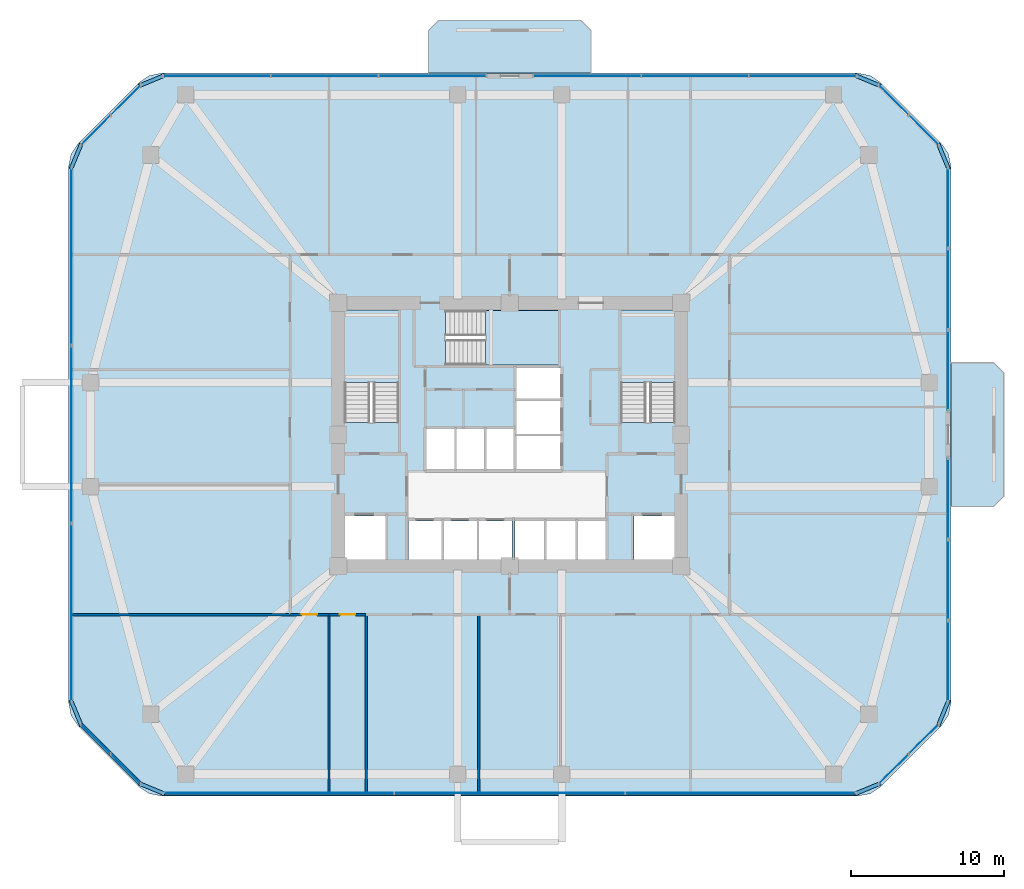
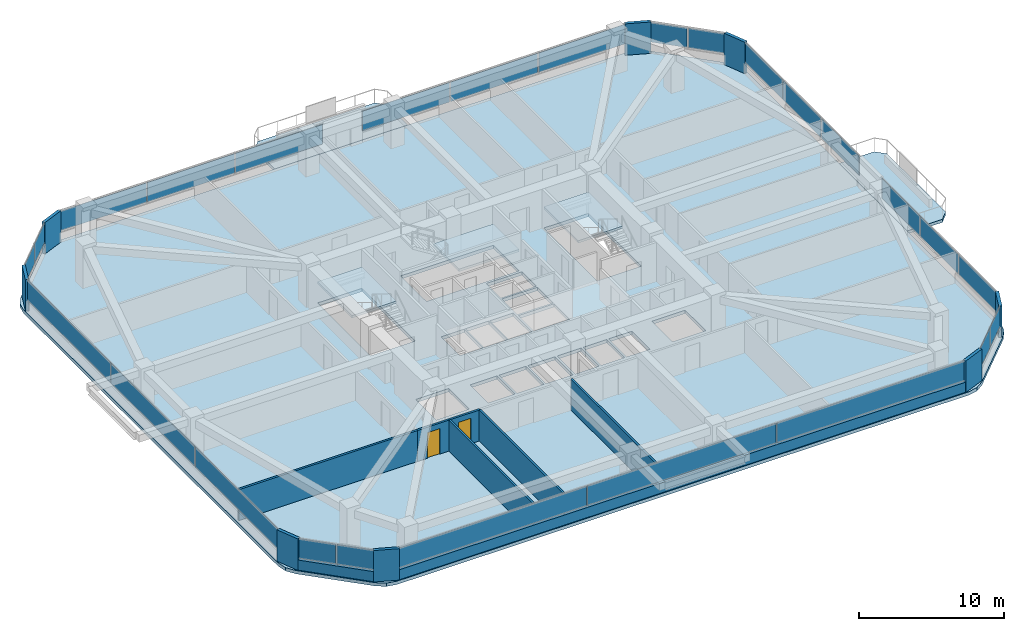
# One storey, part 8 of 14: 34 plates, 8 walls, 6 slabs, 2 doors, 2 openings, 13 elements without a shape of their own.
"""IFC4 building model written with IfcOpenShell, lengths in metres."""

from ifc_helpers import new_model, si_unit, derived_unit, direction, frame, frame_2d, origin, origin_2d, place, context, subcontext, project, spatial, polyline, rectangle, outline, extrude, material, layer, layer_set, type_object, element, fill, aggregate, save


model = new_model("IFC4")

# Units and contexts
model_context = context("Model", 3, precision=1e-05, world=origin(), true_north=direction((0.0, 1.0)))
body_context = subcontext(model_context, "Body", "Model", "MODEL_VIEW")
ifc_project = project(units=[si_unit("LENGTHUNIT", "METRE"), si_unit("AREAUNIT", "SQUARE_METRE"), si_unit("VOLUMEUNIT", "CUBIC_METRE"), si_unit("PLANEANGLEUNIT", "RADIAN"), si_unit("MASSUNIT", "GRAM", prefix="KILO"), derived_unit("THERMALTRANSMITTANCEUNIT", [(si_unit("POWERUNIT", "WATT"), 1), (si_unit("LENGTHUNIT", "METRE"), -2), (si_unit("THERMODYNAMICTEMPERATUREUNIT", "KELVIN"), -1)])], contexts=[model_context])

# Site, building, storey
site_placement = place(None, origin())
site = spatial("IfcSite", under=ifc_project, at=site_placement, CompositionType="ELEMENT")
building_placement = place(site_placement, origin())
building = spatial("IfcBuilding", under=site, at=building_placement, Name="Koralith Skygarden Medical Center", CompositionType="ELEMENT")
storey_placement = place(building_placement, frame((0.0, 0.0, 31.139892578125)))
storey = spatial("IfcBuildingStorey", under=building, at=storey_placement, Name="L07", CompositionType="ELEMENT", Elevation=31.139892578125)

# Curtain wall, plates
ifc_material_1 = material(Name="Clear Laminated Glass", Category="glass")
curtain_wall_type = type_object("IfcCurtainWallType", Name="CW-2 Zone 1 Hurricane Unitised Curtain Wall", PredefinedType="NOTDEFINED", material=ifc_material_1)
curtain_wall_1_placement = place(storey_placement, origin())
curtain_wall_1 = element("IfcCurtainWall", 1, at=curtain_wall_1_placement, inside=storey, type_object=curtain_wall_type, Name="Curtain Wall CW-L07-S", PredefinedType="NOTDEFINED")
ifc_layer_1 = layer(ifc_material_1, 0.031982421875)
ifc_layer_set_1 = layer_set([ifc_layer_1], Name="Clear Laminated Glass")
plate_type_1 = type_object("IfcPlateType", Name="CW-2 Hurricane Laminated IGU Panel 32", PredefinedType="CURTAIN_PANEL", material=ifc_layer_set_1)
plate_1_placement = place(storey_placement, frame((21.903076171875, 2.47998046875, 0.919921875), z_axis=(0.0, 0.0, 1.0), x_axis=(1.0, 0.0, 0.0)))
plate_1 = element("IfcPlate", 2, at=plate_1_placement, type_object=plate_type_1, Name="CW-L07-S Glazed Panel 1", PredefinedType="CURTAIN_PANEL", context=body_context, shape_type="SweptSolid", body=[
    extrude(rectangle(XDim=15.007080078125, YDim=0.031982421875, at=origin_2d()), origin(), (0.0, 0.0, 1.0), 1.659912109375),
])
plate_2_placement = place(storey_placement, frame((37.0, 2.47998046875, 0.919921875), z_axis=(0.0, 0.0, 1.0), x_axis=(1.0, 0.0, 0.0)))
plate_2 = element("IfcPlate", 3, at=plate_2_placement, type_object=plate_type_1, Name="CW-L07-S Glazed Panel 2", PredefinedType="CURTAIN_PANEL", context=body_context, shape_type="SweptSolid", body=[
    extrude(rectangle(XDim=15.007080078125, YDim=0.031982421875, at=origin_2d()), origin(), (0.0, 0.0, 1.0), 1.659912109375),
])
plate_3_placement = place(storey_placement, frame((52.096923828125, 2.47998046875, 0.919921875), z_axis=(0.0, 0.0, 1.0), x_axis=(1.0, 0.0, 0.0)))
plate_3 = element("IfcPlate", 4, at=plate_3_placement, type_object=plate_type_1, Name="CW-L07-S Glazed Panel 3", PredefinedType="CURTAIN_PANEL", context=body_context, shape_type="SweptSolid", body=[
    extrude(rectangle(XDim=15.007080078125, YDim=0.031982421875, at=origin_2d()), origin(), (0.0, 0.0, 1.0), 1.659912109375),
])
aggregate(curtain_wall_1, [plate_1, plate_2, plate_3])

curtain_wall_2_placement = place(storey_placement, origin())
curtain_wall_2 = element("IfcCurtainWall", 5, at=curtain_wall_2_placement, inside=storey, type_object=curtain_wall_type, Name="Curtain Wall CW-L07-SE", PredefinedType="NOTDEFINED")
plate_4_placement = place(storey_placement, frame((62.076904296875, 4.06201171875, 0.919921875), z_axis=(0.0, 0.0, 1.0), x_axis=(0.707106781187, 0.707106781187, 0.0)))
plate_4 = element("IfcPlate", 6, at=plate_4_placement, type_object=plate_type_1, Name="CW-L07-SE Glazed Panel 1", PredefinedType="CURTAIN_PANEL", context=body_context, shape_type="SweptSolid", body=[
    extrude(rectangle(XDim=2.68408203125, YDim=0.031982421875, at=origin_2d()), origin(), (0.0, 0.0, 1.0), 1.659912109375),
])
plate_5_placement = place(storey_placement, frame((64.0380859375, 6.02294921875, 0.919921875), z_axis=(0.0, 0.0, 1.0), x_axis=(0.707106781187, 0.707106781187, 0.0)))
plate_5 = element("IfcPlate", 7, at=plate_5_placement, type_object=plate_type_1, Name="CW-L07-SE Glazed Panel 2", PredefinedType="CURTAIN_PANEL", context=body_context, shape_type="SweptSolid", body=[
    extrude(rectangle(XDim=2.68408203125, YDim=0.031982421875, at=origin_2d()), origin(), (0.0, 0.0, 1.0), 1.659912109375),
])
aggregate(curtain_wall_2, [plate_4, plate_5])

curtain_wall_3_placement = place(storey_placement, origin())
curtain_wall_3 = element("IfcCurtainWall", 8, at=curtain_wall_3_placement, inside=storey, type_object=curtain_wall_type, Name="Curtain Wall CW-L07-E-L", PredefinedType="NOTDEFINED")
plate_6_placement = place(storey_placement, frame((65.6201171875, 11.10595703125, 0.919921875), z_axis=(0.0, 0.0, 1.0), x_axis=(0.0, 1.0, 0.0)))
plate_6 = element("IfcPlate", 9, at=plate_6_placement, type_object=plate_type_1, Name="CW-L07-E-L Glazed Panel 1", PredefinedType="CURTAIN_PANEL", context=body_context, shape_type="SweptSolid", body=[
    extrude(rectangle(XDim=5.2119140625, YDim=0.031982421875, at=origin_2d()), origin(), (0.0, 0.0, 1.0), 1.659912109375),
])
plate_7_placement = place(storey_placement, frame((65.6201171875, 16.406982421875, 0.919921875), z_axis=(0.0, 0.0, 1.0), x_axis=(0.0, 1.0, 0.0)))
plate_7 = element("IfcPlate", 10, at=plate_7_placement, type_object=plate_type_1, Name="CW-L07-E-L Glazed Panel 2", PredefinedType="CURTAIN_PANEL", context=body_context, shape_type="SweptSolid", body=[
    extrude(rectangle(XDim=5.2119140625, YDim=0.031982421875, at=origin_2d()), origin(), (0.0, 0.0, 1.0), 1.659912109375),
])
plate_8_placement = place(storey_placement, frame((65.6201171875, 21.708984375, 0.919921875), z_axis=(0.0, 0.0, 1.0), x_axis=(0.0, 1.0, 0.0)))
plate_8 = element("IfcPlate", 11, at=plate_8_placement, type_object=plate_type_1, Name="CW-L07-E-L Glazed Panel 3", PredefinedType="CURTAIN_PANEL", context=body_context, shape_type="SweptSolid", body=[
    extrude(rectangle(XDim=5.2119140625, YDim=0.031982421875, at=origin_2d()), origin(), (0.0, 0.0, 1.0), 1.659912109375),
])
aggregate(curtain_wall_3, [plate_6, plate_7, plate_8])

curtain_wall_4_placement = place(storey_placement, origin())
curtain_wall_4 = element("IfcCurtainWall", 12, at=curtain_wall_4_placement, inside=storey, type_object=curtain_wall_type, Name="Curtain Wall CW-L07-E-R", PredefinedType="NOTDEFINED")
plate_9_placement = place(storey_placement, frame((65.6201171875, 30.091064453125, 0.919921875), z_axis=(0.0, 0.0, 1.0), x_axis=(0.0, 1.0, 0.0)))
plate_9 = element("IfcPlate", 13, at=plate_9_placement, type_object=plate_type_1, Name="CW-L07-E-R Glazed Panel 1", PredefinedType="CURTAIN_PANEL", context=body_context, shape_type="SweptSolid", body=[
    extrude(rectangle(XDim=5.2119140625, YDim=0.031982421875, at=origin_2d()), origin(), (0.0, 0.0, 1.0), 1.659912109375),
])
plate_10_placement = place(storey_placement, frame((65.6201171875, 35.39208984375, 0.919921875), z_axis=(0.0, 0.0, 1.0), x_axis=(0.0, 1.0, 0.0)))
plate_10 = element("IfcPlate", 14, at=plate_10_placement, type_object=plate_type_1, Name="CW-L07-E-R Glazed Panel 2", PredefinedType="CURTAIN_PANEL", context=body_context, shape_type="SweptSolid", body=[
    extrude(rectangle(XDim=5.2119140625, YDim=0.031982421875, at=origin_2d()), origin(), (0.0, 0.0, 1.0), 1.659912109375),
])
plate_11_placement = place(storey_placement, frame((65.6201171875, 40.694091796875, 0.919921875), z_axis=(0.0, 0.0, 1.0), x_axis=(0.0, 1.0, 0.0)))
plate_11 = element("IfcPlate", 15, at=plate_11_placement, type_object=plate_type_1, Name="CW-L07-E-R Glazed Panel 3", PredefinedType="CURTAIN_PANEL", context=body_context, shape_type="SweptSolid", body=[
    extrude(rectangle(XDim=5.2119140625, YDim=0.031982421875, at=origin_2d()), origin(), (0.0, 0.0, 1.0), 1.659912109375),
])
aggregate(curtain_wall_4, [plate_9, plate_10, plate_11])

curtain_wall_5_placement = place(storey_placement, origin())
curtain_wall_5 = element("IfcCurtainWall", 16, at=curtain_wall_5_placement, inside=storey, type_object=curtain_wall_type, Name="Curtain Wall CW-L07-NE", PredefinedType="NOTDEFINED")
plate_12_placement = place(storey_placement, frame((64.0380859375, 45.777099609375, 0.919921875), z_axis=(0.0, 0.0, 1.0), x_axis=(-0.707106781187, 0.707106781187, 0.0)))
plate_12 = element("IfcPlate", 17, at=plate_12_placement, type_object=plate_type_1, Name="CW-L07-NE Glazed Panel 1", PredefinedType="CURTAIN_PANEL", context=body_context, shape_type="SweptSolid", body=[
    extrude(rectangle(XDim=2.68408203125, YDim=0.031982421875, at=origin_2d()), origin(), (0.0, 0.0, 1.0), 1.659912109375),
])
plate_13_placement = place(storey_placement, frame((62.076904296875, 47.738037109375, 0.919921875), z_axis=(0.0, 0.0, 1.0), x_axis=(-0.707106781187, 0.707106781187, 0.0)))
plate_13 = element("IfcPlate", 18, at=plate_13_placement, type_object=plate_type_1, Name="CW-L07-NE Glazed Panel 2", PredefinedType="CURTAIN_PANEL", context=body_context, shape_type="SweptSolid", body=[
    extrude(rectangle(XDim=2.68408203125, YDim=0.031982421875, at=origin_2d()), origin(), (0.0, 0.0, 1.0), 1.659912109375),
])
aggregate(curtain_wall_5, [plate_12, plate_13])

curtain_wall_6_placement = place(storey_placement, origin())
curtain_wall_6 = element("IfcCurtainWall", 19, at=curtain_wall_6_placement, inside=storey, type_object=curtain_wall_type, Name="Curtain Wall CW-L07-N-L", PredefinedType="NOTDEFINED")
plate_14_placement = place(storey_placement, frame((56.1279296875, 49.320068359375, 0.919921875), z_axis=(0.0, 0.0, 1.0), x_axis=(-1.0, 0.0, 0.0)))
plate_14 = element("IfcPlate", 20, at=plate_14_placement, type_object=plate_type_1, Name="CW-L07-N-L Glazed Panel 1", PredefinedType="CURTAIN_PANEL", context=body_context, shape_type="SweptSolid", body=[
    extrude(rectangle(XDim=6.945068359375, YDim=0.031982421875, at=origin_2d()), origin(), (0.0, 0.0, 1.0), 1.659912109375),
])
plate_15_placement = place(storey_placement, frame((49.093017578125, 49.320068359375, 0.919921875), z_axis=(0.0, 0.0, 1.0), x_axis=(-1.0, 0.0, 0.0)))
plate_15 = element("IfcPlate", 21, at=plate_15_placement, type_object=plate_type_1, Name="CW-L07-N-L Glazed Panel 2", PredefinedType="CURTAIN_PANEL", context=body_context, shape_type="SweptSolid", body=[
    extrude(rectangle(XDim=6.945068359375, YDim=0.031982421875, at=origin_2d()), origin(), (0.0, 0.0, 1.0), 1.659912109375),
])
plate_16_placement = place(storey_placement, frame((42.05810546875, 49.320068359375, 0.919921875), z_axis=(0.0, 0.0, 1.0), x_axis=(-1.0, 0.0, 0.0)))
plate_16 = element("IfcPlate", 22, at=plate_16_placement, type_object=plate_type_1, Name="CW-L07-N-L Glazed Panel 3", PredefinedType="CURTAIN_PANEL", context=body_context, shape_type="SweptSolid", body=[
    extrude(rectangle(XDim=6.945068359375, YDim=0.031982421875, at=origin_2d()), origin(), (0.0, 0.0, 1.0), 1.659912109375),
])
aggregate(curtain_wall_6, [plate_14, plate_15, plate_16])

curtain_wall_7_placement = place(storey_placement, origin())
curtain_wall_7 = element("IfcCurtainWall", 23, at=curtain_wall_7_placement, inside=storey, type_object=curtain_wall_type, Name="Curtain Wall CW-L07-N-R", PredefinedType="NOTDEFINED")
plate_17_placement = place(storey_placement, frame((31.943115234375, 49.320068359375, 0.919921875), z_axis=(0.0, 0.0, 1.0), x_axis=(-1.0, 0.0, 0.0)))
plate_17 = element("IfcPlate", 24, at=plate_17_placement, type_object=plate_type_1, Name="CW-L07-N-R Glazed Panel 1", PredefinedType="CURTAIN_PANEL", context=body_context, shape_type="SweptSolid", body=[
    extrude(rectangle(XDim=6.945068359375, YDim=0.031982421875, at=origin_2d()), origin(), (0.0, 0.0, 1.0), 1.659912109375),
])
plate_18_placement = place(storey_placement, frame((24.906982421875, 49.320068359375, 0.919921875), z_axis=(0.0, 0.0, 1.0), x_axis=(-1.0, 0.0, 0.0)))
plate_18 = element("IfcPlate", 25, at=plate_18_placement, type_object=plate_type_1, Name="CW-L07-N-R Glazed Panel 2", PredefinedType="CURTAIN_PANEL", context=body_context, shape_type="SweptSolid", body=[
    extrude(rectangle(XDim=6.945068359375, YDim=0.031982421875, at=origin_2d()), origin(), (0.0, 0.0, 1.0), 1.659912109375),
])
plate_19_placement = place(storey_placement, frame((17.873046875, 49.320068359375, 0.919921875), z_axis=(0.0, 0.0, 1.0), x_axis=(-1.0, 0.0, 0.0)))
plate_19 = element("IfcPlate", 26, at=plate_19_placement, type_object=plate_type_1, Name="CW-L07-N-R Glazed Panel 3", PredefinedType="CURTAIN_PANEL", context=body_context, shape_type="SweptSolid", body=[
    extrude(rectangle(XDim=6.945068359375, YDim=0.031982421875, at=origin_2d()), origin(), (0.0, 0.0, 1.0), 1.659912109375),
])
aggregate(curtain_wall_7, [plate_17, plate_18, plate_19])

curtain_wall_8_placement = place(storey_placement, origin())
curtain_wall_8 = element("IfcCurtainWall", 27, at=curtain_wall_8_placement, inside=storey, type_object=curtain_wall_type, Name="Curtain Wall CW-L07-NW", PredefinedType="NOTDEFINED")
plate_20_placement = place(storey_placement, frame((11.923095703125, 47.738037109375, 0.919921875), z_axis=(0.0, 0.0, 1.0), x_axis=(-0.707106781187, -0.707106781187, 0.0)))
plate_20 = element("IfcPlate", 28, at=plate_20_placement, type_object=plate_type_1, Name="CW-L07-NW Glazed Panel 1", PredefinedType="CURTAIN_PANEL", context=body_context, shape_type="SweptSolid", body=[
    extrude(rectangle(XDim=2.68408203125, YDim=0.031982421875, at=origin_2d()), origin(), (0.0, 0.0, 1.0), 1.659912109375),
])
plate_21_placement = place(storey_placement, frame((9.9619140625, 45.777099609375, 0.919921875), z_axis=(0.0, 0.0, 1.0), x_axis=(-0.707106781187, -0.707106781187, 0.0)))
plate_21 = element("IfcPlate", 29, at=plate_21_placement, type_object=plate_type_1, Name="CW-L07-NW Glazed Panel 2", PredefinedType="CURTAIN_PANEL", context=body_context, shape_type="SweptSolid", body=[
    extrude(rectangle(XDim=2.68408203125, YDim=0.031982421875, at=origin_2d()), origin(), (0.0, 0.0, 1.0), 1.659912109375),
])
aggregate(curtain_wall_8, [plate_20, plate_21])

curtain_wall_9_placement = place(storey_placement, origin())
curtain_wall_9 = element("IfcCurtainWall", 30, at=curtain_wall_9_placement, inside=storey, type_object=curtain_wall_type, Name="Curtain Wall CW-L07-W", PredefinedType="NOTDEFINED")
plate_22_placement = place(storey_placement, frame((8.3798828125, 37.530029296875, 0.919921875), z_axis=(0.0, 0.0, 1.0), x_axis=(0.0, -1.0, 0.0)))
plate_22 = element("IfcPlate", 31, at=plate_22_placement, type_object=plate_type_1, Name="CW-L07-W Glazed Panel 1", PredefinedType="CURTAIN_PANEL", context=body_context, shape_type="SweptSolid", body=[
    extrude(rectangle(XDim=11.5400390625, YDim=0.031982421875, at=origin_2d()), origin(), (0.0, 0.0, 1.0), 1.659912109375),
])
plate_23_placement = place(storey_placement, frame((8.3798828125, 25.89990234375, 0.919921875), z_axis=(0.0, 0.0, 1.0), x_axis=(0.0, -1.0, 0.0)))
plate_23 = element("IfcPlate", 32, at=plate_23_placement, type_object=plate_type_1, Name="CW-L07-W Glazed Panel 2", PredefinedType="CURTAIN_PANEL", context=body_context, shape_type="SweptSolid", body=[
    extrude(rectangle(XDim=11.5400390625, YDim=0.031982421875, at=origin_2d()), origin(), (0.0, 0.0, 1.0), 1.659912109375),
])
plate_24_placement = place(storey_placement, frame((8.3798828125, 14.27001953125, 0.919921875), z_axis=(0.0, 0.0, 1.0), x_axis=(0.0, -1.0, 0.0)))
plate_24 = element("IfcPlate", 33, at=plate_24_placement, type_object=plate_type_1, Name="CW-L07-W Glazed Panel 3", PredefinedType="CURTAIN_PANEL", context=body_context, shape_type="SweptSolid", body=[
    extrude(rectangle(XDim=11.5400390625, YDim=0.031982421875, at=origin_2d()), origin(), (0.0, 0.0, 1.0), 1.659912109375),
])
aggregate(curtain_wall_9, [plate_22, plate_23, plate_24])

curtain_wall_10_placement = place(storey_placement, origin())
curtain_wall_10 = element("IfcCurtainWall", 34, at=curtain_wall_10_placement, inside=storey, type_object=curtain_wall_type, Name="Curtain Wall CW-L07-SW", PredefinedType="NOTDEFINED")
plate_25_placement = place(storey_placement, frame((9.9619140625, 6.02294921875, 0.919921875), z_axis=(0.0, 0.0, 1.0), x_axis=(0.707106781187, -0.707106781187, 0.0)))
plate_25 = element("IfcPlate", 35, at=plate_25_placement, type_object=plate_type_1, Name="CW-L07-SW Glazed Panel 1", PredefinedType="CURTAIN_PANEL", context=body_context, shape_type="SweptSolid", body=[
    extrude(rectangle(XDim=2.68408203125, YDim=0.031982421875, at=origin_2d()), origin(), (0.0, 0.0, 1.0), 1.659912109375),
])
plate_26_placement = place(storey_placement, frame((11.923095703125, 4.06201171875, 0.919921875), z_axis=(0.0, 0.0, 1.0), x_axis=(0.707106781187, -0.707106781187, 0.0)))
plate_26 = element("IfcPlate", 36, at=plate_26_placement, type_object=plate_type_1, Name="CW-L07-SW Glazed Panel 2", PredefinedType="CURTAIN_PANEL", context=body_context, shape_type="SweptSolid", body=[
    extrude(rectangle(XDim=2.68408203125, YDim=0.031982421875, at=origin_2d()), origin(), (0.0, 0.0, 1.0), 1.659912109375),
])
aggregate(curtain_wall_10, [plate_25, plate_26])

# Slabs
ifc_material_2 = material(Name="Concrete C45/55", Category="concrete")
ifc_layer_2 = layer(ifc_material_2, 0.260009765625)
ifc_layer_set_2 = layer_set([ifc_layer_2], Name="Concrete C45/55")
slab_type_1 = type_object("IfcSlabType", Name="Cantilevered Planted Balcony Slab 260", PredefinedType="FLOOR", material=ifc_layer_set_2)
slab_1_placement = place(storey_placement, frame((0.0, 0.0, -0.260009765625)))
element("IfcSlab", 37, at=slab_1_placement, inside=storey, type_object=slab_type_1, Name="L07 N Planted Sky-Garden Balcony Slab", PredefinedType="FLOOR", context=body_context, shape_type="SweptSolid", body=[
    extrude(outline(polyline([(31.699951171875, 49.5), (42.300048828125, 49.5), (42.300048828125, 52.300048828125), (41.64990234375, 52.949951171875), (32.35009765625, 52.949951171875), (31.699951171875, 52.300048828125), (31.699951171875, 49.5)])), origin(), (0.0, 0.0, 1.0), 0.260009765625),
])
slab_2_placement = place(storey_placement, frame((0.0, 0.0, -0.260009765625)))
element("IfcSlab", 38, at=slab_2_placement, inside=storey, type_object=slab_type_1, Name="L07 E Planted Sky-Garden Balcony Slab", PredefinedType="FLOOR", context=body_context, shape_type="SweptSolid", body=[
    extrude(outline(polyline([(65.800048828125, 21.199951171875), (68.60009765625, 21.199951171875), (69.25, 21.85009765625), (69.25, 29.949951171875), (68.60009765625, 30.60009765625), (65.800048828125, 30.60009765625), (65.800048828125, 21.199951171875)])), origin(), (0.0, 0.0, 1.0), 0.260009765625),
])

# Stair, slab
stair_type = type_object("IfcStairType", Name="Core Exit Dogleg Concrete Stair", PredefinedType="HALF_TURN_STAIR", material=ifc_material_2)
stair_1_placement = place(storey_placement, origin())
stair_1 = element("IfcStair", 39, at=stair_1_placement, inside=storey, type_object=stair_type, Name="L07 Smokeproof Exit Stair ST1", PredefinedType="HALF_TURN_STAIR")
ifc_layer_3 = layer(ifc_material_2, 0.199951171875)
ifc_layer_set_3 = layer_set([ifc_layer_3], Name="Concrete C45/55")
slab_type_2 = type_object("IfcSlabType", Name="Core Exit Concrete Stair Landing 200", PredefinedType="LANDING", material=ifc_layer_set_3)
slab_3_placement = place(storey_placement, frame((0.0, 0.0, 1.60009765625)))
slab_3 = element("IfcSlab", 40, at=slab_3_placement, type_object=slab_type_2, Name="ST1 landing 1", PredefinedType="LANDING", context=body_context, shape_type="SweptSolid", body=[
    extrude(outline(polyline([(29.75, 29.31005859375), (29.75, 34.050048828125), (26.199951171875, 34.050048828125), (26.199951171875, 29.31005859375), (29.75, 29.31005859375)])), origin(), (0.0, 0.0, 1.0), 0.199951171875),
])
aggregate(stair_1, [slab_3])

stair_2_placement = place(storey_placement, origin())
stair_2 = element("IfcStair", 41, at=stair_2_placement, inside=storey, type_object=stair_type, Name="L07 Smokeproof Exit Stair ST2", PredefinedType="HALF_TURN_STAIR")
slab_4_placement = place(storey_placement, frame((0.0, 0.0, 1.60009765625)))
slab_4 = element("IfcSlab", 42, at=slab_4_placement, type_object=slab_type_2, Name="ST2 landing 1", PredefinedType="LANDING", context=body_context, shape_type="SweptSolid", body=[
    extrude(outline(polyline([(47.800048828125, 29.31005859375), (47.800048828125, 34.050048828125), (44.25, 34.050048828125), (44.25, 29.31005859375), (47.800048828125, 29.31005859375)])), origin(), (0.0, 0.0, 1.0), 0.199951171875),
])
aggregate(stair_2, [slab_4])

stair_3_placement = place(storey_placement, origin())
stair_3 = element("IfcStair", 43, at=stair_3_placement, inside=storey, type_object=stair_type, Name="L07 Smokeproof Exit Stair ST3", PredefinedType="HALF_TURN_STAIR")
slab_5_placement = place(storey_placement, frame((0.0, 0.0, 1.60009765625)))
slab_5 = element("IfcSlab", 44, at=slab_5_placement, type_object=slab_type_2, Name="ST3 landing 1", PredefinedType="LANDING", context=body_context, shape_type="SweptSolid", body=[
    extrude(outline(polyline([(35.409912109375, 30.449951171875), (40.199951171875, 30.449951171875), (40.199951171875, 34.0), (35.409912109375, 34.0), (35.409912109375, 30.449951171875)])), origin(), (0.0, 0.0, 1.0), 0.199951171875),
])
aggregate(stair_3, [slab_5])

# Slab
ifc_layer_4 = layer(ifc_material_2, 0.280029296875)
ifc_layer_set_4 = layer_set([ifc_layer_4], Name="Concrete C45/55")
slab_type_3 = type_object("IfcSlabType", Name="Post-Tensioned Ward Floor Plate 280", PredefinedType="FLOOR", material=ifc_layer_set_4)
slab_6_placement = place(storey_placement, frame((0.0, 0.0, -0.27978515625)))
element("IfcSlab", 45, at=slab_6_placement, inside=storey, type_object=slab_type_3, Name="Level L07 Structural Floor Slab", PredefinedType="FLOOR", context=body_context, shape_type="SweptSolid", body=[
    extrude(outline(polyline([(12.81396484375, 2.885986328125), (13.462890625, 2.451904296875), (14.22802734375, 2.300048828125), (59.77197265625, 2.300048828125), (60.537109375, 2.451904296875), (61.18603515625, 2.885986328125), (65.214111328125, 6.9140625), (65.64794921875, 7.56298828125), (65.800048828125, 8.327880859375), (65.800048828125, 43.471923828125), (65.64794921875, 44.237060546875), (65.214111328125, 44.885986328125), (61.18603515625, 48.9140625), (60.537109375, 49.347900390625), (59.77197265625, 49.5), (14.22802734375, 49.5), (13.462890625, 49.347900390625), (12.81396484375, 48.9140625), (8.785888671875, 44.885986328125), (8.35205078125, 44.237060546875), (8.199951171875, 43.471923828125), (8.199951171875, 8.327880859375), (8.35205078125, 7.56298828125), (8.785888671875, 6.9140625), (12.81396484375, 2.885986328125)]), holes=[polyline([(26.199951171875, 26.705078125), (29.75, 26.705078125), (29.75, 34.050048828125), (26.199951171875, 34.050048828125), (26.199951171875, 26.705078125)]), polyline([(44.25, 26.705078125), (47.800048828125, 26.705078125), (47.800048828125, 34.050048828125), (44.25, 34.050048828125), (44.25, 26.705078125)]), polyline([(32.804931640625, 30.449951171875), (40.199951171875, 30.449951171875), (40.199951171875, 34.0), (32.804931640625, 34.0), (32.804931640625, 30.449951171875)]), polyline([(26.25, 17.75), (28.89990234375, 17.75), (28.89990234375, 20.60009765625), (26.25, 20.60009765625), (26.25, 17.75)]), polyline([(45.10009765625, 17.75), (47.75, 17.75), (47.75, 20.60009765625), (45.10009765625, 20.60009765625), (45.10009765625, 17.75)]), polyline([(30.39990234375, 17.75), (32.550048828125, 17.75), (32.550048828125, 20.25), (30.39990234375, 20.25), (30.39990234375, 17.75)]), polyline([(32.699951171875, 17.75), (34.85009765625, 17.75), (34.85009765625, 20.25), (32.699951171875, 20.25), (32.699951171875, 17.75)]), polyline([(35.0, 17.75), (37.14990234375, 17.75), (37.14990234375, 20.25), (35.0, 20.25), (35.0, 17.75)]), polyline([(37.35009765625, 17.75), (39.25, 17.75), (39.25, 20.25), (37.35009765625, 20.25), (37.35009765625, 17.75)]), polyline([(39.39990234375, 17.75), (41.300048828125, 17.75), (41.300048828125, 20.25), (39.39990234375, 20.25), (39.39990234375, 17.75)]), polyline([(41.449951171875, 17.75), (43.300048828125, 17.75), (43.300048828125, 20.25), (41.449951171875, 20.25), (41.449951171875, 17.75)]), polyline([(31.550048828125, 23.64990234375), (33.39990234375, 23.64990234375), (33.39990234375, 26.25), (31.550048828125, 26.25), (31.550048828125, 23.64990234375)]), polyline([(33.5, 23.64990234375), (35.35009765625, 23.64990234375), (35.35009765625, 26.25), (33.5, 26.25), (33.5, 23.64990234375)]), polyline([(35.449951171875, 23.64990234375), (37.300048828125, 23.64990234375), (37.300048828125, 26.25), (35.449951171875, 26.25), (35.449951171875, 23.64990234375)]), polyline([(37.449951171875, 23.64990234375), (40.300048828125, 23.64990234375), (40.300048828125, 25.800048828125), (37.449951171875, 25.800048828125), (37.449951171875, 23.64990234375)]), polyline([(37.449951171875, 25.949951171875), (40.300048828125, 25.949951171875), (40.300048828125, 28.10009765625), (37.449951171875, 28.10009765625), (37.449951171875, 25.949951171875)]), polyline([(37.449951171875, 28.25), (40.300048828125, 28.25), (40.300048828125, 30.25), (37.449951171875, 30.25), (37.449951171875, 28.25)])]), origin(), (0.0, 0.0, 1.0), 0.27978515625),
])

# Plates
ifc_material_3 = material(Name="Warm Oolitic Limestone Cladding", Category="masonry")
ifc_layer_5 = layer(ifc_material_3, 0.239990234375)
ifc_layer_set_5 = layer_set([ifc_layer_5], Name="Warm Oolitic Limestone Cladding")
plate_type_2 = type_object("IfcPlateType", Name="Rounded-Corner Oolitic Limestone Cladding Panel 240", PredefinedType="USERDEFINED", material=ifc_layer_set_5)
for number, where, z_axis, x_axis, name in (
    (46, (60.3701171875, 2.780029296875, 0.000244140625), (0.0, 0.0, 1.0), (0.92388487569, 0.382670532536, 0.0), "L07 Rounded-Corner Limestone Pier 1"),
    (47, (65.320068359375, 7.72900390625, 0.000244140625), (0.0, 0.0, 1.0), (0.382670532536, 0.92388487569, 0.0), "L07 Rounded-Corner Limestone Pier 2"),
    (48, (65.320068359375, 44.070068359375, 0.000244140625), (0.0, 0.0, 1.0), (-0.382670532536, 0.92388487569, 0.0), "L07 Rounded-Corner Limestone Pier 3"),
    (49, (60.3701171875, 49.02001953125, 0.000244140625), (0.0, 0.0, 1.0), (-0.92388487569, 0.382670532536, 0.0), "L07 Rounded-Corner Limestone Pier 4"),
    (50, (13.6298828125, 49.02001953125, 0.000244140625), (0.0, 0.0, 1.0), (-0.92388487569, -0.382670532536, 0.0), "L07 Rounded-Corner Limestone Pier 5"),
    (51, (8.680908203125, 44.070068359375, 0.000244140625), (0.0, 0.0, 1.0), (-0.382670532536, -0.92388487569, 0.0), "L07 Rounded-Corner Limestone Pier 6"),
    (52, (8.680908203125, 7.72900390625, 0.000244140625), (0.0, 0.0, 1.0), (0.382670532536, -0.92388487569, 0.0), "L07 Rounded-Corner Limestone Pier 7"),
    (53, (13.6298828125, 2.780029296875, 0.000244140625), (0.0, 0.0, 1.0), (0.92388487569, -0.382670532536, 0.0), "L07 Rounded-Corner Limestone Pier 8"),
):
    element("IfcPlate", number, at=place(storey_placement, frame(where, z_axis=z_axis, x_axis=x_axis)), inside=storey, type_object=plate_type_2, Name=name, ObjectType="LIMESTONE CLADDING", PredefinedType="USERDEFINED", context=body_context, shape_type="SweptSolid", body=[
        extrude(rectangle(XDim=1.81103515625, YDim=0.239990234375, at=origin_2d()), origin(), (0.0, 0.0, 1.0), 2.64990234375),
    ])

# Walls
ifc_material_4 = material(Name="Gypsum Board Partition")
ifc_layer_6 = layer(ifc_material_4, 0.14990234375)
ifc_layer_set_6 = layer_set([ifc_layer_6], Name="Gypsum Board Partition")
wall_type_1 = type_object("IfcWallType", Name="Clinical Acoustic Partition 150", PredefinedType="PARTITIONING", material=ifc_layer_set_6)
for number, where, z_axis, x_axis, name in (
    (54, (25.199951171875, 14.14990234375, 0.0), (0.0, 0.0, 1.0), (0.0, -1.0, 0.0), "L07 Clinical Acoustic Partition 150 W-PART-L07-S-01"),
    (55, (27.623046875, 14.14990234375, 0.0), (0.0, 0.0, 1.0), (0.0, -1.0, 0.0), "L07 Clinical Acoustic Partition 150 W-PART-L07-S-02"),
    (56, (34.98095703125, 14.14990234375, 0.0), (0.0, 0.0, 1.0), (0.0, -1.0, 0.0), "L07 Clinical Acoustic Partition 150 W-PART-L07-S-03"),
):
    element("IfcWall", number, at=place(storey_placement, frame(where, z_axis=z_axis, x_axis=x_axis)), inside=storey, type_object=wall_type_1, Name=name, PredefinedType="PARTITIONING", context=body_context, shape_type="SweptSolid", body=[
        extrude(rectangle(XDim=11.64990234375, YDim=0.14990234375, at=frame_2d((5.824951171875, 0.0))), origin(), (0.0, 0.0, 1.0), 2.610107421875),
    ])
ifc_layer_7 = layer(ifc_material_4, 0.1650390625)
ifc_layer_set_7 = layer_set([ifc_layer_7], Name="Gypsum Board Partition")
wall_type_2 = type_object("IfcWallType", Name="Clinical Corridor Partition 165", PredefinedType="PARTITIONING", material=ifc_layer_set_7)
wall_1_placement = place(storey_placement, frame((8.39990234375, 14.14990234375, 0.0), z_axis=(0.0, 0.0, 1.0), x_axis=(1.0, 0.0, 0.0)))
element("IfcWall", 57, at=wall_1_placement, inside=storey, type_object=wall_type_2, Name="L07 Clinical Corridor Partition 165 W-WB-L07-SW", PredefinedType="PARTITIONING", context=body_context, shape_type="SweptSolid", body=[
    extrude(rectangle(XDim=14.25, YDim=0.1650390625, at=frame_2d((7.125, 0.0))), origin(), (0.0, 0.0, 1.0), 2.610107421875),
])

# Wall, opening, door
wall_2_placement = place(storey_placement, frame((22.64990234375, 14.14990234375, 0.0), z_axis=(0.0, 0.0, 1.0), x_axis=(1.0, 0.0, 0.0)))
wall_2 = element("IfcWall", 58, at=wall_2_placement, inside=storey, type_object=wall_type_2, Name="L07 Clinical Corridor Partition 165 W-CORR-L07-S-01", PredefinedType="PARTITIONING", context=body_context, shape_type="SweptSolid", body=[
    extrude(rectangle(XDim=2.550048828125, YDim=0.1650390625, at=frame_2d((1.27490234375, 0.0))), origin(), (0.0, 0.0, 1.0), 2.610107421875),
])
opening_1_placement = place(wall_2_placement, frame((0.77490234375, 0.0, 0.0)))
opening_1 = element("IfcOpeningElement", 59, at=opening_1_placement, cuts=wall_2, Name="Opening D-SUP", PredefinedType="OPENING", context=body_context, shape_type="SweptSolid", body=[
    extrude(rectangle(XDim=1.0, YDim=2.14990234375, at=frame_2d((0.5, 1.074951171875))), frame((0.0, 0.092529296875, 0.0), z_axis=(0.0, -1.0, 0.0), x_axis=(1.0, 0.0, 0.0)), (0.0, 0.0, 1.0), 0.18505859375),
])
ifc_material_5 = material(Name="Aluminium 6063-T6", Category="aluminium")
door_type = type_object("IfcDoorType", Name="Clinical Support Door D-SUP 1000", OperationType="NOTDEFINED", PredefinedType="DOOR", material=ifc_material_5)
door_1_placement = place(opening_1_placement, frame((1.0, 0.0, 0.0), z_axis=(0.0, 0.0, 1.0), x_axis=(-1.0, 0.0, 0.0)))
door_1 = element("IfcDoor", 60, at=door_1_placement, inside=storey, type_object=door_type, Name="L07 Decentralized Nurse Charting Station 06 Door", OperationType="SINGLE_SWING_LEFT", OverallHeight=2.14990234375, OverallWidth=1.0, PredefinedType="DOOR", context=body_context, shape_type="SweptSolid", body=[
    extrude(rectangle(XDim=1.0, YDim=2.14990234375, at=frame_2d((0.5, 1.074951171875))), frame((0.0, 0.02490234375, 0.0), z_axis=(0.0, -1.0, 0.0), x_axis=(1.0, 0.0, 0.0)), (0.0, 0.0, 1.0), 0.050048828125),
])
fill(opening_1, door_1)

wall_3_placement = place(storey_placement, frame((25.199951171875, 14.14990234375, 0.0), z_axis=(0.0, 0.0, 1.0), x_axis=(1.0, 0.0, 0.0)))
wall_3 = element("IfcWall", 61, at=wall_3_placement, inside=storey, type_object=wall_type_2, Name="L07 Clinical Corridor Partition 165 W-CORR-L07-S-02", PredefinedType="PARTITIONING", context=body_context, shape_type="SweptSolid", body=[
    extrude(rectangle(XDim=2.423095703125, YDim=0.1650390625, at=frame_2d((1.21142578125, 0.0))), origin(), (0.0, 0.0, 1.0), 2.610107421875),
])
opening_2_placement = place(wall_3_placement, frame((0.7119140625, 0.0, 0.0)))
opening_2 = element("IfcOpeningElement", 62, at=opening_2_placement, cuts=wall_3, Name="Opening D-SUP", PredefinedType="OPENING", context=body_context, shape_type="SweptSolid", body=[
    extrude(rectangle(XDim=1.0, YDim=2.14990234375, at=frame_2d((0.5, 1.074951171875))), frame((0.0, 0.092529296875, 0.0), z_axis=(0.0, -1.0, 0.0), x_axis=(1.0, 0.0, 0.0)), (0.0, 0.0, 1.0), 0.18505859375),
])
door_2_placement = place(opening_2_placement, frame((1.0, 0.0, 0.0), z_axis=(0.0, 0.0, 1.0), x_axis=(-1.0, 0.0, 0.0)))
door_2 = element("IfcDoor", 63, at=door_2_placement, inside=storey, type_object=door_type, Name="L07 Clinical Examination Room 07 Door", OperationType="SINGLE_SWING_RIGHT", OverallHeight=2.14990234375, OverallWidth=1.0, PredefinedType="DOOR", context=body_context, shape_type="SweptSolid", body=[
    extrude(rectangle(XDim=1.0, YDim=2.14990234375, at=frame_2d((0.5, 1.074951171875))), frame((0.0, 0.02490234375, 0.0), z_axis=(0.0, -1.0, 0.0), x_axis=(1.0, 0.0, 0.0)), (0.0, 0.0, 1.0), 0.050048828125),
])
fill(opening_2, door_2)

# Walls
ifc_layer_8 = layer(ifc_material_3, 0.239990234375)
ifc_layer_set_8 = layer_set([ifc_layer_8], Name="Warm Oolitic Limestone Cladding")
wall_type_3 = type_object("IfcWallType", Name="Limestone Spandrel Sill Backup Wall 240", PredefinedType="SOLIDWALL", material=ifc_layer_set_8)
wall_4_placement = place(storey_placement, frame((14.35498046875, 2.47998046875, 0.0), z_axis=(0.0, 0.0, 1.0), x_axis=(1.0, 0.0, 0.0)))
element("IfcWall", 64, at=wall_4_placement, inside=storey, type_object=wall_type_3, Name="L07 Sill Spandrel S", PredefinedType="SOLIDWALL", context=body_context, shape_type="SweptSolid", body=[
    extrude(rectangle(XDim=45.2900390625, YDim=0.239990234375, at=frame_2d((22.64501953125, 0.0))), origin(), (0.0, 0.0, 1.0), 0.85009765625),
])
wall_5_placement = place(storey_placement, frame((8.98095703125, 7.00390625, 0.0), z_axis=(0.0, 0.0, 1.0), x_axis=(0.707128783731, -0.707084777957, 0.0)))
element("IfcWall", 65, at=wall_5_placement, inside=storey, type_object=wall_type_3, Name="L07 Sill Spandrel SW", PredefinedType="SOLIDWALL", context=body_context, shape_type="SweptSolid", body=[
    extrude(rectangle(XDim=5.5478515625, YDim=0.239990234375, at=frame_2d((2.77392578125, 0.0))), origin(), (0.0, 0.0, 1.0), 0.85009765625),
])

save(model, "model.ifc")
